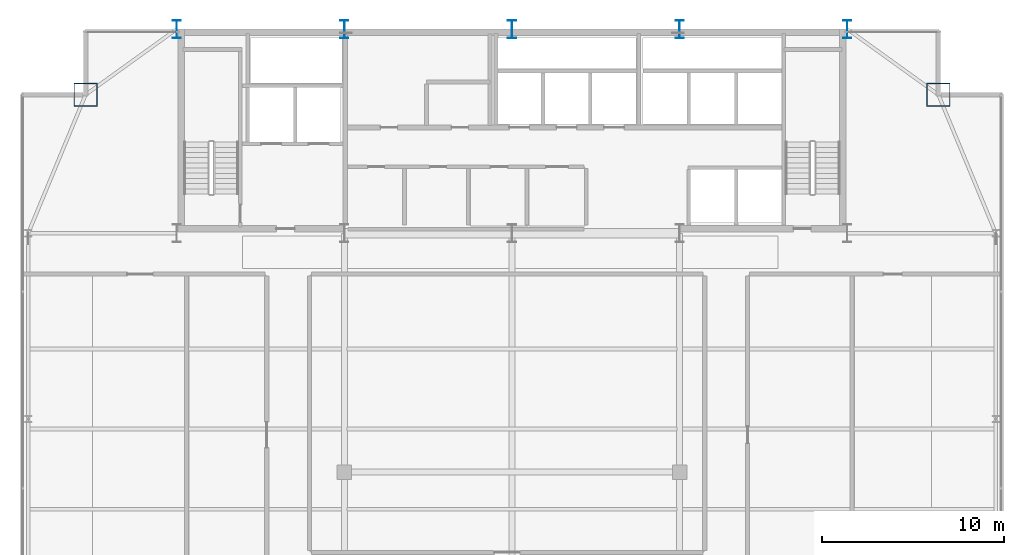
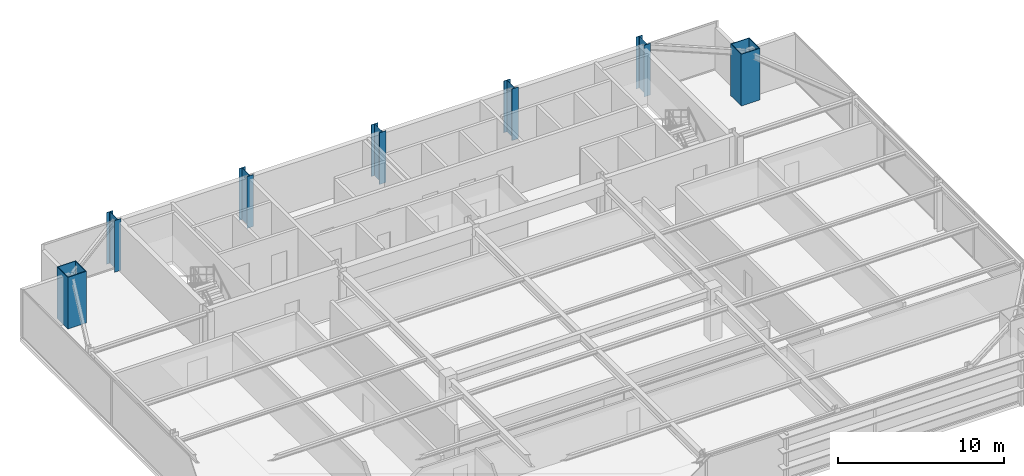
# One storey, part 3 of 29: 7 columns.
"""IFC4 building model written with IfcOpenShell, lengths in metres."""

from ifc_helpers import new_model, si_unit, direction, frame, origin, origin_2d, place, context, subcontext, project, spatial, hollow_rectangle, i_section, extrude, source, transform, mapped, material, material_profile, profile_set, type_object, type_shapes, element, save


model = new_model("IFC4")

# Units and contexts
model_context = context("Model", 3, precision=1e-05, world=origin(), true_north=direction((0.0, 1.0)))
body_context = subcontext(model_context, "Body", "Model", "MODEL_VIEW")
ifc_project = project(units=[si_unit("LENGTHUNIT", "METRE"), si_unit("AREAUNIT", "SQUARE_METRE"), si_unit("VOLUMEUNIT", "CUBIC_METRE"), si_unit("PLANEANGLEUNIT", "RADIAN"), si_unit("MASSUNIT", "GRAM", prefix="KILO")], contexts=[model_context])

# Site, building, storey
site_placement = place(None, origin())
site = spatial("IfcSite", under=ifc_project, at=site_placement, CompositionType="ELEMENT")
building_placement = place(site_placement, origin())
building = spatial("IfcBuilding", under=site, at=building_placement, Name="Varnel Quay Broadcast Tower", CompositionType="ELEMENT")
storey_placement = place(building_placement, frame((0.0, 0.0, 172.39990234375)))
storey = spatial("IfcBuildingStorey", under=building, at=storey_placement, Name="L42", CompositionType="ELEMENT", Elevation=172.39990234375)

# Columns
ifc_material = material(Name="Structural Steel CSA G40.21 350WT", Category="steel")
ifc_material_profile_1 = material_profile(ifc_material, i_section(OverallWidth=0.449951171875, OverallDepth=1.0, WebThickness=0.01611328125, FlangeThickness=0.030029296875, FilletRadius=0.01611328125, at=origin_2d()), Name="WWF1000X362")
ifc_profile_set_1 = profile_set([ifc_material_profile_1], Name="Structural Steel CSA G40.21 350WT")
column_type_1 = type_object("IfcColumnType", Name="Col_WWF1000X362", PredefinedType="COLUMN", material=ifc_profile_set_1)
shared_shape_1 = source(origin(), body_context, "Body", "SweptSolid", [
    extrude(i_section(OverallWidth=0.449951171875, OverallDepth=1.0, WebThickness=0.01611328125, FlangeThickness=0.030029296875, FilletRadius=0.01611328125, at=origin_2d()), origin(), (0.0, 0.0, 1.0), 3.800048828125),
])
type_shapes(column_type_1, [shared_shape_1])
for number, where, z_axis, x_axis, name in (
    (1, (15.60009765625, 46.800048828125, 0.0), (0.0, 0.0, 1.0), (1.0, 0.0, 0.0), "L42 Column CC-N1"),
    (2, (24.800048828125, 46.800048828125, 0.0), (0.0, 0.0, 1.0), (1.0, 0.0, 0.0), "L42 Column CC-N2"),
    (3, (34.0, 46.800048828125, 0.0), (0.0, 0.0, 1.0), (1.0, 0.0, 0.0), "L42 Column CC-N3"),
    (4, (43.199951171875, 46.800048828125, 0.0), (0.0, 0.0, 1.0), (1.0, 0.0, 0.0), "L42 Column CC-N4"),
    (5, (52.39990234375, 46.800048828125, 0.0), (0.0, 0.0, 1.0), (1.0, 0.0, 0.0), "L42 Column CC-N5"),
):
    element("IfcColumn", number, at=place(storey_placement, frame(where, z_axis=z_axis, x_axis=x_axis)), inside=storey, type_object=column_type_1, Name=name, PredefinedType="COLUMN", context=body_context, shape_type="MappedRepresentation", body=[
        mapped(shared_shape_1, transform((0.0, 0.0, 0.0), x_axis=(1.0, 0.0, 0.0), y_axis=(0.0, 1.0, 0.0), z_axis=(0.0, 0.0, 1.0), scale=1.0)),
    ])
ifc_material_profile_2 = material_profile(ifc_material, hollow_rectangle(XDim=1.300048828125, YDim=1.300048828125, WallThickness=0.050048828125, at=origin_2d()), Name="BOX1300X1300X50")
ifc_profile_set_2 = profile_set([ifc_material_profile_2], Name="Structural Steel CSA G40.21 350WT")
column_type_2 = type_object("IfcColumnType", Name="Col_BOX1300X1300X50", PredefinedType="COLUMN", material=ifc_profile_set_2)
shared_shape_2 = source(origin(), body_context, "Body", "SweptSolid", [
    extrude(hollow_rectangle(XDim=1.300048828125, YDim=1.300048828125, WallThickness=0.050048828125, at=origin_2d()), origin(), (0.0, 0.0, 1.0), 3.800048828125),
])
type_shapes(column_type_2, [shared_shape_2])
for number, where, z_axis, x_axis, name in (
    (6, (57.39990234375, 43.199951171875, 0.0), (0.0, 0.0, 1.0), (1.0, 0.0, 0.0), "L42 Column MC-NE"),
    (7, (10.60009765625, 43.199951171875, 0.0), (0.0, 0.0, 1.0), (1.0, 0.0, 0.0), "L42 Column MC-NW"),
):
    element("IfcColumn", number, at=place(storey_placement, frame(where, z_axis=z_axis, x_axis=x_axis)), inside=storey, type_object=column_type_2, Name=name, PredefinedType="COLUMN", context=body_context, shape_type="MappedRepresentation", body=[
        mapped(shared_shape_2, transform((0.0, 0.0, 0.0), x_axis=(1.0, 0.0, 0.0), y_axis=(0.0, 1.0, 0.0), z_axis=(0.0, 0.0, 1.0), scale=1.0)),
    ])

save(model, "model.ifc")
